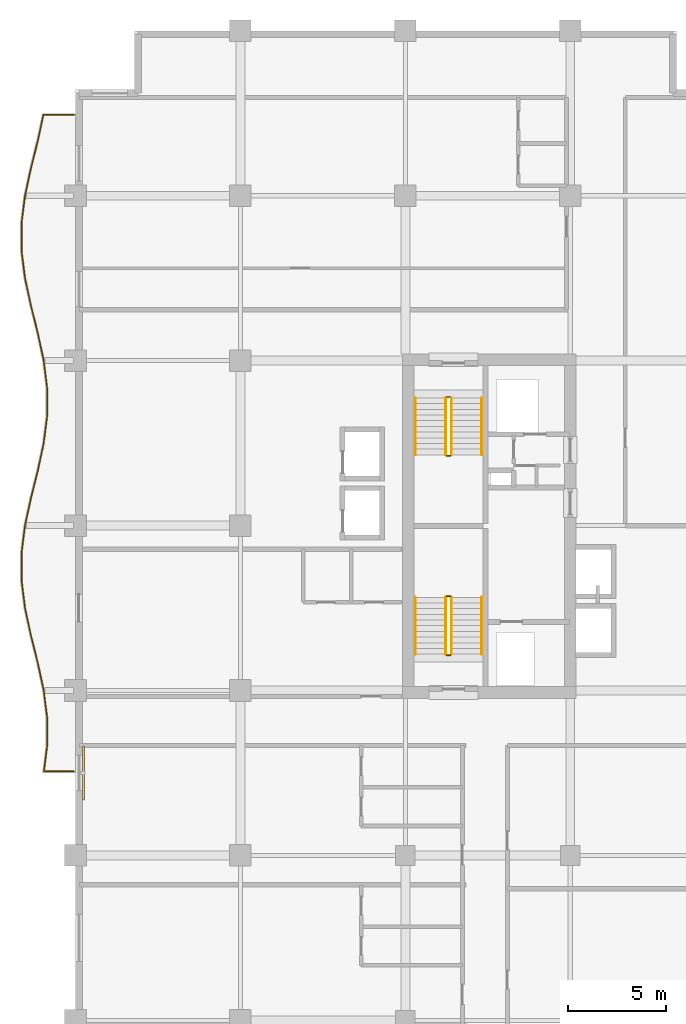
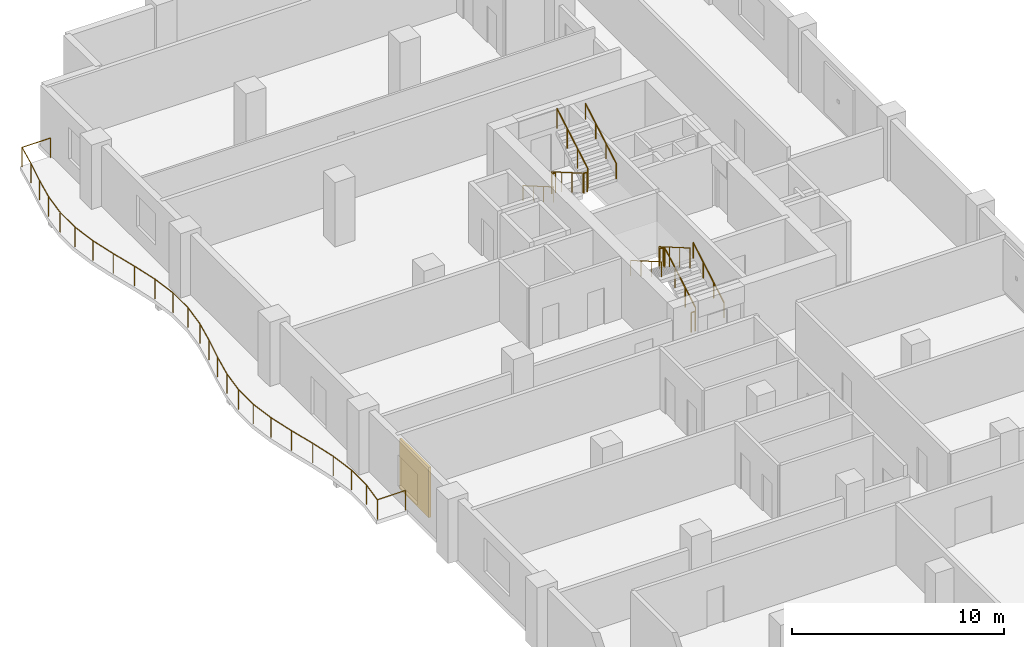
# One storey, part 14 of 15: 13 railings, 1 shading device.
"""IFC4 building model written with IfcOpenShell, lengths in metres."""

from ifc_helpers import new_model, si_unit, direction, frame, origin, origin_2d, place, context, subcontext, project, spatial, rectangle, circle, extrude, material, layer, layer_set, type_object, element, save


model = new_model("IFC4")

# Units and contexts
model_context = context("Model", 3, precision=1e-05, world=origin(), true_north=direction((0.0, 1.0)))
body_context = subcontext(model_context, "Body", "Model", "MODEL_VIEW")
ifc_project = project(units=[si_unit("LENGTHUNIT", "METRE"), si_unit("AREAUNIT", "SQUARE_METRE"), si_unit("VOLUMEUNIT", "CUBIC_METRE"), si_unit("PLANEANGLEUNIT", "RADIAN"), si_unit("MASSUNIT", "GRAM", prefix="KILO")], contexts=[model_context])

# Site, building, storey
site_placement = place(None, origin())
site = spatial("IfcSite", under=ifc_project, at=site_placement, CompositionType="ELEMENT")
building_placement = place(site_placement, origin())
building = spatial("IfcBuilding", under=site, at=building_placement, Name="Koriwani Terraces Tower", CompositionType="ELEMENT")
storey_placement = place(building_placement, frame((0.0, 0.0, 216.10009765625)))
storey = spatial("IfcBuildingStorey", under=building, at=storey_placement, Name="L53", CompositionType="ELEMENT", Elevation=216.10009765625)

# Railings
ifc_material_1 = material(Name="Steel ASTM A572 Grade 50", Category="steel")
railing_type_1 = type_object("IfcRailingType", Name="GUARD_BALUSTRADE_1150", PredefinedType="BALUSTRADE", material=ifc_material_1)
railing_1_placement = place(storey_placement, frame((-0.080078125, 37.8798828125, 0.0)))
element("IfcRailing", 1, at=railing_1_placement, inside=storey, type_object=railing_type_1, Name="L53 Balcony Perimeter Safety Balustrade (W)", PredefinedType="BALUSTRADE", context=body_context, shape_type="SweptSolid", body=[
    extrude(circle(Radius=0.02392578125, at=origin_2d()), frame((0.0, 0.0, 1.1259765625), z_axis=(-1.0, 0.0, 0.0), x_axis=(0.0, -1.0, 0.0)), (0.0, 0.0, 1.0), 1.527099609375),
    extrude(circle(Radius=0.02392578125, at=origin_2d()), frame((-1.527099609375, 0.0, 1.1259765625), z_axis=(0.123603958219, 0.992331628798, 0.0), x_axis=(-0.992331628798, 0.123603958219, 0.0)), (0.0, 0.0, 1.0), 1.325439453125),
    extrude(circle(Radius=0.02392578125, at=origin_2d()), frame((-1.36328125, 1.315185546875, 1.1259765625), z_axis=(0.0, 1.0, 0.0), x_axis=(-1.0, 0.0, 0.0)), (0.0, 0.0, 1.0), 1.409912109375),
    extrude(circle(Radius=0.02392578125, at=origin_2d()), frame((-1.36328125, 2.72509765625, 1.1259765625), z_axis=(-0.123674829633, 0.992322798546, 0.0), x_axis=(-0.992322798546, -0.123674829633, 0.0)), (0.0, 0.0, 1.0), 1.41943359375),
    extrude(circle(Radius=0.02392578125, at=origin_2d()), frame((-1.538818359375, 4.133544921875, 1.1259765625), z_axis=(-0.21115295759, 0.977453031353, 0.0), x_axis=(-0.977453031353, -0.21115295759, 0.0)), (0.0, 0.0, 1.0), 1.437255859375),
    extrude(circle(Radius=0.02392578125, at=origin_2d()), frame((-1.84228515625, 5.538330078125, 1.1259765625), z_axis=(-0.242137466795, 0.970241952903, 0.0), x_axis=(-0.970241952903, -0.242137466795, 0.0)), (0.0, 0.0, 1.0), 1.44287109375),
    extrude(circle(Radius=0.02392578125, at=origin_2d()), frame((-2.191650390625, 6.938232421875, 1.1259765625), z_axis=(-0.211385782237, 0.977402706702, 0.0), x_axis=(-0.977402706702, -0.211385782237, 0.0)), (0.0, 0.0, 1.0), 1.427490234375),
    extrude(circle(Radius=0.02392578125, at=origin_2d()), frame((-2.493408203125, 8.33349609375, 1.1259765625), z_axis=(-0.123777613669, 0.992309982997, 0.0), x_axis=(-0.992309982997, -0.123777613669, 0.0)), (0.0, 0.0, 1.0), 1.40234375),
    extrude(circle(Radius=0.02392578125, at=origin_2d()), frame((-2.6669921875, 9.72509765625, 1.1259765625), z_axis=(0.0, 1.0, 0.0), x_axis=(-1.0, 0.0, 0.0)), (0.0, 0.0, 1.0), 1.39013671875),
    extrude(circle(Radius=0.02392578125, at=origin_2d()), frame((-2.6669921875, 11.115234375, 1.1259765625), z_axis=(0.123777613669, 0.992309982997, 0.0), x_axis=(-0.992309982997, 0.123777613669, 0.0)), (0.0, 0.0, 1.0), 1.40234375),
    extrude(circle(Radius=0.02392578125, at=origin_2d()), frame((-2.493408203125, 12.5068359375, 1.1259765625), z_axis=(0.211385782237, 0.977402706702, 0.0), x_axis=(-0.977402706702, 0.211385782237, 0.0)), (0.0, 0.0, 1.0), 1.427490234375),
    extrude(circle(Radius=0.02392578125, at=origin_2d()), frame((-2.191650390625, 13.902099609375, 1.1259765625), z_axis=(0.242137466795, 0.970241952903, 0.0), x_axis=(-0.970241952903, 0.242137466795, 0.0)), (0.0, 0.0, 1.0), 1.44287109375),
    extrude(circle(Radius=0.02392578125, at=origin_2d()), frame((-1.84228515625, 15.302001953125, 1.1259765625), z_axis=(0.21115295759, 0.977453031353, 0.0), x_axis=(-0.977453031353, 0.21115295759, 0.0)), (0.0, 0.0, 1.0), 1.437255859375),
    extrude(circle(Radius=0.02392578125, at=origin_2d()), frame((-1.538818359375, 16.706787109375, 1.1259765625), z_axis=(0.123674829633, 0.992322798546, 0.0), x_axis=(-0.992322798546, 0.123674829633, 0.0)), (0.0, 0.0, 1.0), 1.41943359375),
    extrude(circle(Radius=0.02392578125, at=origin_2d()), frame((-1.36328125, 18.115234375, 1.1259765625), z_axis=(0.0, 1.0, 0.0), x_axis=(-1.0, 0.0, 0.0)), (0.0, 0.0, 1.0), 1.409912109375),
    extrude(circle(Radius=0.02392578125, at=origin_2d()), frame((-1.36328125, 19.525146484375, 1.1259765625), z_axis=(-0.123674829633, 0.992322798546, 0.0), x_axis=(-0.992322798546, -0.123674829633, 0.0)), (0.0, 0.0, 1.0), 1.41943359375),
    extrude(circle(Radius=0.02392578125, at=origin_2d()), frame((-1.538818359375, 20.93359375, 1.1259765625), z_axis=(-0.211188023857, 0.977445455552, 0.0), x_axis=(-0.977445455552, -0.211188023857, 0.0)), (0.0, 0.0, 1.0), 1.43701171875),
    extrude(circle(Radius=0.02392578125, at=origin_2d()), frame((-1.84228515625, 22.338134765625, 1.1259765625), z_axis=(-0.242097720621, 0.970251871253, 0.0), x_axis=(-0.970251871253, -0.242097720621, 0.0)), (0.0, 0.0, 1.0), 1.443115234375),
    extrude(circle(Radius=0.02392578125, at=origin_2d()), frame((-2.191650390625, 23.73828125, 1.1259765625), z_axis=(-0.211385782237, 0.977402706702, 0.0), x_axis=(-0.977402706702, -0.211385782237, 0.0)), (0.0, 0.0, 1.0), 1.427490234375),
    extrude(circle(Radius=0.02392578125, at=origin_2d()), frame((-2.493408203125, 25.133544921875, 1.1259765625), z_axis=(-0.123777613669, 0.992309982997, 0.0), x_axis=(-0.992309982997, -0.123777613669, 0.0)), (0.0, 0.0, 1.0), 1.40234375),
    extrude(circle(Radius=0.02392578125, at=origin_2d()), frame((-2.6669921875, 26.525146484375, 1.1259765625), z_axis=(0.0, 1.0, 0.0), x_axis=(-1.0, 0.0, 0.0)), (0.0, 0.0, 1.0), 1.389892578125),
    extrude(circle(Radius=0.02392578125, at=origin_2d()), frame((-2.6669921875, 27.9150390625, 1.1259765625), z_axis=(0.123777613669, 0.992309982997, 0.0), x_axis=(-0.992309982997, 0.123777613669, 0.0)), (0.0, 0.0, 1.0), 1.40234375),
    extrude(circle(Radius=0.02392578125, at=origin_2d()), frame((-2.493408203125, 29.306640625, 1.1259765625), z_axis=(0.211385782237, 0.977402706702, 0.0), x_axis=(-0.977402706702, 0.211385782237, 0.0)), (0.0, 0.0, 1.0), 1.427490234375),
    extrude(circle(Radius=0.02392578125, at=origin_2d()), frame((-2.191650390625, 30.701904296875, 1.1259765625), z_axis=(0.242097720621, 0.970251871253, 0.0), x_axis=(-0.970251871253, 0.242097720621, 0.0)), (0.0, 0.0, 1.0), 1.443115234375),
    extrude(circle(Radius=0.02392578125, at=origin_2d()), frame((-1.84228515625, 32.10205078125, 1.1259765625), z_axis=(0.211318979222, 0.977417151998, 0.0), x_axis=(-0.977417151998, 0.211318979222, 0.0)), (0.0, 0.0, 1.0), 1.369140625),
    extrude(circle(Radius=0.02392578125, at=origin_2d()), frame((-1.552978515625, 33.440185546875, 1.1259765625), z_axis=(1.0, 0.0, 0.0), x_axis=(0.0, 1.0, 0.0)), (0.0, 0.0, 1.0), 1.552978515625),
    extrude(circle(Radius=0.02099609375, at=origin_2d()), origin(), (0.0, 0.0, 1.0), 1.101806640625),
    extrude(circle(Radius=0.02099609375, at=origin_2d()), frame((-1.527099609375, 0.0, 0.0)), (0.0, 0.0, 1.0), 1.101806640625),
    extrude(circle(Radius=0.02099609375, at=origin_2d()), frame((-1.36328125, 1.315185546875, 0.0)), (0.0, 0.0, 1.0), 1.101806640625),
    extrude(circle(Radius=0.02099609375, at=origin_2d()), frame((-1.36328125, 2.72509765625, 0.0)), (0.0, 0.0, 1.0), 1.101806640625),
    extrude(circle(Radius=0.02099609375, at=origin_2d()), frame((-1.538818359375, 4.133544921875, 0.0)), (0.0, 0.0, 1.0), 1.101806640625),
    extrude(circle(Radius=0.02099609375, at=origin_2d()), frame((-1.84228515625, 5.538330078125, 0.0)), (0.0, 0.0, 1.0), 1.101806640625),
    extrude(circle(Radius=0.02099609375, at=origin_2d()), frame((-2.191650390625, 6.938232421875, 0.0)), (0.0, 0.0, 1.0), 1.101806640625),
    extrude(circle(Radius=0.02099609375, at=origin_2d()), frame((-2.493408203125, 8.33349609375, 0.0)), (0.0, 0.0, 1.0), 1.101806640625),
    extrude(circle(Radius=0.02099609375, at=origin_2d()), frame((-2.6669921875, 9.72509765625, 0.0)), (0.0, 0.0, 1.0), 1.101806640625),
    extrude(circle(Radius=0.02099609375, at=origin_2d()), frame((-2.6669921875, 11.115234375, 0.0)), (0.0, 0.0, 1.0), 1.101806640625),
    extrude(circle(Radius=0.02099609375, at=origin_2d()), frame((-2.493408203125, 12.5068359375, 0.0)), (0.0, 0.0, 1.0), 1.101806640625),
    extrude(circle(Radius=0.02099609375, at=origin_2d()), frame((-2.191650390625, 13.902099609375, 0.0)), (0.0, 0.0, 1.0), 1.101806640625),
    extrude(circle(Radius=0.02099609375, at=origin_2d()), frame((-1.84228515625, 15.302001953125, 0.0)), (0.0, 0.0, 1.0), 1.101806640625),
    extrude(circle(Radius=0.02099609375, at=origin_2d()), frame((-1.538818359375, 16.706787109375, 0.0)), (0.0, 0.0, 1.0), 1.101806640625),
    extrude(circle(Radius=0.02099609375, at=origin_2d()), frame((-1.36328125, 18.115234375, 0.0)), (0.0, 0.0, 1.0), 1.101806640625),
    extrude(circle(Radius=0.02099609375, at=origin_2d()), frame((-1.36328125, 19.525146484375, 0.0)), (0.0, 0.0, 1.0), 1.101806640625),
    extrude(circle(Radius=0.02099609375, at=origin_2d()), frame((-1.538818359375, 20.93359375, 0.0)), (0.0, 0.0, 1.0), 1.101806640625),
    extrude(circle(Radius=0.02099609375, at=origin_2d()), frame((-1.84228515625, 22.338134765625, 0.0)), (0.0, 0.0, 1.0), 1.101806640625),
    extrude(circle(Radius=0.02099609375, at=origin_2d()), frame((-2.191650390625, 23.73828125, 0.0)), (0.0, 0.0, 1.0), 1.101806640625),
    extrude(circle(Radius=0.02099609375, at=origin_2d()), frame((-2.493408203125, 25.133544921875, 0.0)), (0.0, 0.0, 1.0), 1.101806640625),
    extrude(circle(Radius=0.02099609375, at=origin_2d()), frame((-2.6669921875, 26.525146484375, 0.0)), (0.0, 0.0, 1.0), 1.101806640625),
    extrude(circle(Radius=0.02099609375, at=origin_2d()), frame((-2.6669921875, 27.9150390625, 0.0)), (0.0, 0.0, 1.0), 1.101806640625),
    extrude(circle(Radius=0.02099609375, at=origin_2d()), frame((-2.493408203125, 29.306640625, 0.0)), (0.0, 0.0, 1.0), 1.101806640625),
    extrude(circle(Radius=0.02099609375, at=origin_2d()), frame((-2.191650390625, 30.701904296875, 0.0)), (0.0, 0.0, 1.0), 1.101806640625),
    extrude(circle(Radius=0.02099609375, at=origin_2d()), frame((-1.84228515625, 32.10205078125, 0.0)), (0.0, 0.0, 1.0), 1.101806640625),
    extrude(circle(Radius=0.02099609375, at=origin_2d()), frame((-1.552978515625, 33.440185546875, 0.0)), (0.0, 0.0, 1.0), 1.101806640625),
    extrude(circle(Radius=0.02099609375, at=origin_2d()), frame((0.0, 33.440185546875, 0.0)), (0.0, 0.0, 1.0), 1.101806640625),
])
railing_type_2 = type_object("IfcRailingType", Name="GUARD_STAIR_WELL_1120", PredefinedType="GUARDRAIL", material=ifc_material_1)
railing_2_placement = place(storey_placement, frame((19.14990234375, 43.85009765625, 0.16796875)))
element("IfcRailing", 2, at=railing_2_placement, inside=storey, type_object=railing_type_2, Name="L53 ST-W1 stair guard 1", PredefinedType="GUARDRAIL", context=body_context, shape_type="SweptSolid", body=[
    extrude(circle(Radius=0.02392578125, at=origin_2d()), frame((0.0, 0.0, 1.1259765625), z_axis=(0.0, 0.865038774852, 0.501705010941), x_axis=(-1.0, 0.0, 0.0)), (0.0, 0.0, 1.0), 3.352294921875),
    extrude(circle(Radius=0.02099609375, at=origin_2d()), origin(), (0.0, 0.0, 1.0), 1.101806640625),
    extrude(circle(Radius=0.02099609375, at=origin_2d()), frame((0.0, 0.966552734375, 0.560546875)), (0.0, 0.0, 1.0), 1.101806640625),
    extrude(circle(Radius=0.02099609375, at=origin_2d()), frame((0.0, 1.933349609375, 1.121337890625)), (0.0, 0.0, 1.0), 1.101806640625),
    extrude(circle(Radius=0.02099609375, at=origin_2d()), frame((0.0, 2.89990234375, 1.681884765625)), (0.0, 0.0, 1.0), 1.101806640625),
])
railing_3_placement = place(storey_placement, frame((19.10009765625, 46.800048828125, 1.849853515625)))
element("IfcRailing", 3, at=railing_3_placement, inside=storey, type_object=railing_type_2, Name="L53 ST-W1 stair guard 2", PredefinedType="GUARDRAIL", context=body_context, shape_type="SweptSolid", body=[
    extrude(circle(Radius=0.02392578125, at=origin_2d()), frame((0.0, 0.0, 1.1259765625), z_axis=(-1.0, 0.0, 0.0), x_axis=(0.0, -1.0, 0.0)), (0.0, 0.0, 1.0), 0.2001953125),
    extrude(circle(Radius=0.02099609375, at=origin_2d()), origin(), (0.0, 0.0, 1.0), 1.101806640625),
    extrude(circle(Radius=0.02099609375, at=origin_2d()), frame((-0.2001953125, 0.0, 0.0)), (0.0, 0.0, 1.0), 1.101806640625),
])
railing_4_placement = place(storey_placement, frame((18.85009765625, 46.75, 2.01806640625)))
element("IfcRailing", 4, at=railing_4_placement, inside=storey, type_object=railing_type_2, Name="L53 ST-W1 stair guard 3", PredefinedType="GUARDRAIL", context=body_context, shape_type="SweptSolid", body=[
    extrude(circle(Radius=0.02392578125, at=origin_2d()), frame((0.0, 0.0, 1.1259765625), z_axis=(0.0, -0.865038774852, 0.501705010941), x_axis=(1.0, 0.0, 0.0)), (0.0, 0.0, 1.0), 3.352294921875),
    extrude(circle(Radius=0.02099609375, at=origin_2d()), origin(), (0.0, 0.0, 1.0), 1.101806640625),
    extrude(circle(Radius=0.02099609375, at=origin_2d()), frame((0.0, -0.966552734375, 0.560546875)), (0.0, 0.0, 1.0), 1.101806640625),
    extrude(circle(Radius=0.02099609375, at=origin_2d()), frame((0.0, -1.933349609375, 1.121337890625)), (0.0, 0.0, 1.0), 1.101806640625),
    extrude(circle(Radius=0.02099609375, at=origin_2d()), frame((0.0, -2.89990234375, 1.681884765625)), (0.0, 0.0, 1.0), 1.101806640625),
])
railing_5_placement = place(storey_placement, frame((19.10009765625, 43.800048828125, 0.0)))
element("IfcRailing", 5, at=railing_5_placement, inside=storey, type_object=railing_type_2, Name="L53 ST-W1 stair guard 4", PredefinedType="GUARDRAIL", context=body_context, shape_type="SweptSolid", body=[
    extrude(circle(Radius=0.02392578125, at=origin_2d()), frame((0.0, 0.0, 1.1259765625), z_axis=(-1.0, 0.0, 0.0), x_axis=(0.0, -1.0, 0.0)), (0.0, 0.0, 1.0), 0.2001953125),
    extrude(circle(Radius=0.02099609375, at=origin_2d()), origin(), (0.0, 0.0, 1.0), 1.101806640625),
    extrude(circle(Radius=0.02099609375, at=origin_2d()), frame((-0.2001953125, 0.0, 0.0)), (0.0, 0.0, 1.0), 1.101806640625),
])
railing_6_placement = place(storey_placement, frame((18.85009765625, 56.89990234375, 0.16796875)))
element("IfcRailing", 6, at=railing_6_placement, inside=storey, type_object=railing_type_2, Name="L53 ST-W2 stair guard 1", PredefinedType="GUARDRAIL", context=body_context, shape_type="SweptSolid", body=[
    extrude(circle(Radius=0.02392578125, at=origin_2d()), frame((0.0, 0.0, 1.1259765625), z_axis=(0.0, -0.865038774852, 0.501705010941), x_axis=(1.0, 0.0, 0.0)), (0.0, 0.0, 1.0), 3.352294921875),
    extrude(circle(Radius=0.02099609375, at=origin_2d()), origin(), (0.0, 0.0, 1.0), 1.101806640625),
    extrude(circle(Radius=0.02099609375, at=origin_2d()), frame((0.0, -0.966552734375, 0.560546875)), (0.0, 0.0, 1.0), 1.101806640625),
    extrude(circle(Radius=0.02099609375, at=origin_2d()), frame((0.0, -1.933349609375, 1.121337890625)), (0.0, 0.0, 1.0), 1.101806640625),
    extrude(circle(Radius=0.02099609375, at=origin_2d()), frame((0.0, -2.89990234375, 1.681884765625)), (0.0, 0.0, 1.0), 1.101806640625),
])
railing_7_placement = place(storey_placement, frame((18.89990234375, 53.949951171875, 1.849853515625)))
element("IfcRailing", 7, at=railing_7_placement, inside=storey, type_object=railing_type_2, Name="L53 ST-W2 stair guard 2", PredefinedType="GUARDRAIL", context=body_context, shape_type="SweptSolid", body=[
    extrude(circle(Radius=0.02392578125, at=origin_2d()), frame((0.0, 0.0, 1.1259765625), z_axis=(1.0, 0.0, 0.0), x_axis=(0.0, 1.0, 0.0)), (0.0, 0.0, 1.0), 0.2001953125),
    extrude(circle(Radius=0.02099609375, at=origin_2d()), origin(), (0.0, 0.0, 1.0), 1.101806640625),
    extrude(circle(Radius=0.02099609375, at=origin_2d()), frame((0.2001953125, 0.0, 0.0)), (0.0, 0.0, 1.0), 1.101806640625),
])
railing_8_placement = place(storey_placement, frame((19.14990234375, 54.0, 2.01806640625)))
element("IfcRailing", 8, at=railing_8_placement, inside=storey, type_object=railing_type_2, Name="L53 ST-W2 stair guard 3", PredefinedType="GUARDRAIL", context=body_context, shape_type="SweptSolid", body=[
    extrude(circle(Radius=0.02392578125, at=origin_2d()), frame((0.0, 0.0, 1.1259765625), z_axis=(0.0, 0.865038774852, 0.501705010941), x_axis=(-1.0, 0.0, 0.0)), (0.0, 0.0, 1.0), 3.352294921875),
    extrude(circle(Radius=0.02099609375, at=origin_2d()), origin(), (0.0, 0.0, 1.0), 1.101806640625),
    extrude(circle(Radius=0.02099609375, at=origin_2d()), frame((0.0, 0.966552734375, 0.560546875)), (0.0, 0.0, 1.0), 1.101806640625),
    extrude(circle(Radius=0.02099609375, at=origin_2d()), frame((0.0, 1.933349609375, 1.121337890625)), (0.0, 0.0, 1.0), 1.101806640625),
    extrude(circle(Radius=0.02099609375, at=origin_2d()), frame((0.0, 2.89990234375, 1.681884765625)), (0.0, 0.0, 1.0), 1.101806640625),
])
railing_9_placement = place(storey_placement, frame((18.89990234375, 56.949951171875, 0.0)))
element("IfcRailing", 9, at=railing_9_placement, inside=storey, type_object=railing_type_2, Name="L53 ST-W2 stair guard 4", PredefinedType="GUARDRAIL", context=body_context, shape_type="SweptSolid", body=[
    extrude(circle(Radius=0.02392578125, at=origin_2d()), frame((0.0, 0.0, 1.1259765625), z_axis=(1.0, 0.0, 0.0), x_axis=(0.0, 1.0, 0.0)), (0.0, 0.0, 1.0), 0.2001953125),
    extrude(circle(Radius=0.02099609375, at=origin_2d()), origin(), (0.0, 0.0, 1.0), 1.101806640625),
    extrude(circle(Radius=0.02099609375, at=origin_2d()), frame((0.2001953125, 0.0, 0.0)), (0.0, 0.0, 1.0), 1.101806640625),
])
railing_type_3 = type_object("IfcRailingType", Name="HANDRAIL_STAIR_920", PredefinedType="HANDRAIL", material=ifc_material_1)
railing_10_placement = place(storey_placement, frame((20.699951171875, 43.85009765625, 0.16796875)))
element("IfcRailing", 10, at=railing_10_placement, inside=storey, type_object=railing_type_3, Name="L53 ST-W1 stair handrail 1", PredefinedType="HANDRAIL", context=body_context, shape_type="SweptSolid", body=[
    extrude(circle(Radius=0.02392578125, at=origin_2d()), frame((0.0, 0.0, 0.8759765625), z_axis=(0.0, 0.865038774852, 0.501705010941), x_axis=(-1.0, 0.0, 0.0)), (0.0, 0.0, 1.0), 3.352294921875),
    extrude(circle(Radius=0.02099609375, at=origin_2d()), origin(), (0.0, 0.0, 1.0), 0.851806640625),
    extrude(circle(Radius=0.02099609375, at=origin_2d()), frame((0.0, 0.966552734375, 0.560546875)), (0.0, 0.0, 1.0), 0.851806640625),
    extrude(circle(Radius=0.02099609375, at=origin_2d()), frame((0.0, 1.933349609375, 1.121337890625)), (0.0, 0.0, 1.0), 0.851806640625),
    extrude(circle(Radius=0.02099609375, at=origin_2d()), frame((0.0, 2.89990234375, 1.681884765625)), (0.0, 0.0, 1.0), 0.851806640625),
])
for number, where, name in (
    (11, (17.300048828125, 46.75, 2.01806640625), "L53 ST-W1 stair handrail 2"),
    (12, (17.300048828125, 56.89990234375, 0.16796875), "L53 ST-W2 stair handrail 1"),
):
    element("IfcRailing", number, at=place(storey_placement, frame(where)), inside=storey, type_object=railing_type_3, Name=name, PredefinedType="HANDRAIL", context=body_context, shape_type="SweptSolid", body=[
        extrude(circle(Radius=0.02392578125, at=origin_2d()), frame((0.0, 0.0, 0.8759765625), z_axis=(0.0, -0.865038774852, 0.501705010941), x_axis=(1.0, 0.0, 0.0)), (0.0, 0.0, 1.0), 3.352294921875),
        extrude(circle(Radius=0.02099609375, at=origin_2d()), origin(), (0.0, 0.0, 1.0), 0.851806640625),
        extrude(circle(Radius=0.02099609375, at=origin_2d()), frame((0.0, -0.966552734375, 0.560546875)), (0.0, 0.0, 1.0), 0.851806640625),
        extrude(circle(Radius=0.02099609375, at=origin_2d()), frame((0.0, -1.933349609375, 1.121337890625)), (0.0, 0.0, 1.0), 0.851806640625),
        extrude(circle(Radius=0.02099609375, at=origin_2d()), frame((0.0, -2.89990234375, 1.681884765625)), (0.0, 0.0, 1.0), 0.851806640625),
    ])
railing_11_placement = place(storey_placement, frame((20.699951171875, 54.0, 2.01806640625)))
element("IfcRailing", 13, at=railing_11_placement, inside=storey, type_object=railing_type_3, Name="L53 ST-W2 stair handrail 2", PredefinedType="HANDRAIL", context=body_context, shape_type="SweptSolid", body=[
    extrude(circle(Radius=0.02392578125, at=origin_2d()), frame((0.0, 0.0, 0.8759765625), z_axis=(0.0, 0.865038774852, 0.501705010941), x_axis=(-1.0, 0.0, 0.0)), (0.0, 0.0, 1.0), 3.352294921875),
    extrude(circle(Radius=0.02099609375, at=origin_2d()), origin(), (0.0, 0.0, 1.0), 0.851806640625),
    extrude(circle(Radius=0.02099609375, at=origin_2d()), frame((0.0, 0.966552734375, 0.560546875)), (0.0, 0.0, 1.0), 0.851806640625),
    extrude(circle(Radius=0.02099609375, at=origin_2d()), frame((0.0, 1.933349609375, 1.121337890625)), (0.0, 0.0, 1.0), 0.851806640625),
    extrude(circle(Radius=0.02099609375, at=origin_2d()), frame((0.0, 2.89990234375, 1.681884765625)), (0.0, 0.0, 1.0), 0.851806640625),
])

# Shading device
ifc_material_2 = material(Name="Extruded Terracotta Clay", Category="masonry")
ifc_layer = layer(ifc_material_2, 0.1201171875, Name="Extruded Terracotta Clay")
ifc_layer_set = layer_set([ifc_layer], Name="Extruded Terracotta Clay")
shading_device_type = type_object("IfcShadingDeviceType", Name="TERRACOTTA_BAGUETTE_SCREEN_2800", PredefinedType="USERDEFINED", material=ifc_layer_set)
shading_device_placement = place(storey_placement, frame((0.405029296875, 37.800048828125, 0.284912109375), z_axis=(0.0, 0.0, 1.0), x_axis=(0.0, 1.0, 0.0)))
element("IfcShadingDevice", 14, at=shading_device_placement, inside=storey, type_object=shading_device_type, Name="L53 Extruded Terracotta Baguette Screen (W-12)", ObjectType="BAGUETTE", PredefinedType="USERDEFINED", context=body_context, shape_type="SweptSolid", body=[
    extrude(rectangle(XDim=2.760009765625, YDim=0.1201171875, at=origin_2d()), origin(), (0.0, 0.0, 1.0), 2.89990234375),
])

save(model, "model.ifc")
